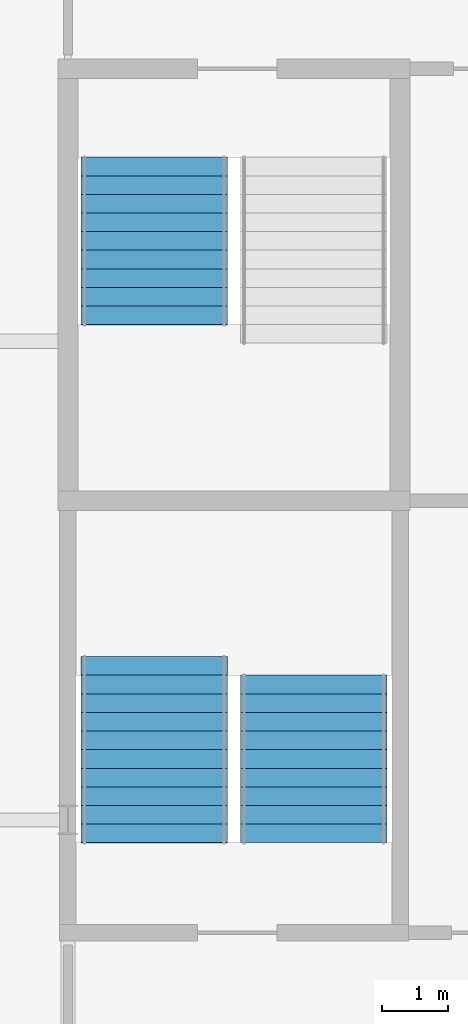
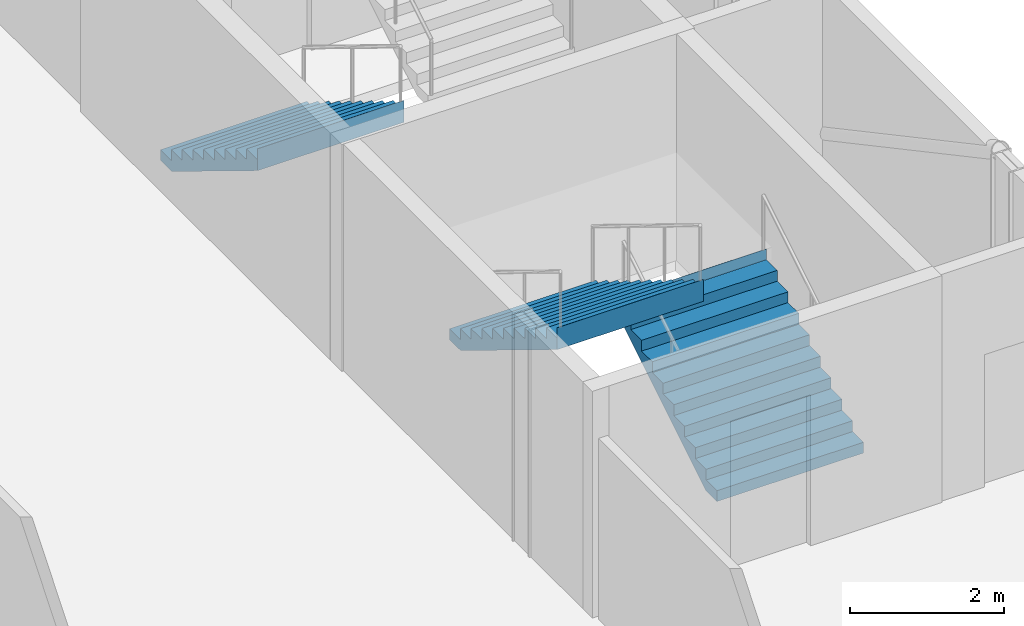
# One storey, part 90 of 124: 3 stair flights, 2 elements without a shape of their own.
"""IFC4 building model written with IfcOpenShell, lengths in metres."""

from ifc_helpers import new_model, si_unit, direction, frame, origin, place, context, subcontext, project, spatial, polyline, outline, extrude, material, type_object, element, aggregate, save


model = new_model("IFC4")

# Units and contexts
model_context = context("Model", 3, precision=1e-05, world=origin(), true_north=direction((0.0, 1.0)))
body_context = subcontext(model_context, "Body", "Model", "MODEL_VIEW")
ifc_project = project(units=[si_unit("LENGTHUNIT", "METRE"), si_unit("AREAUNIT", "SQUARE_METRE"), si_unit("VOLUMEUNIT", "CUBIC_METRE"), si_unit("PLANEANGLEUNIT", "RADIAN"), si_unit("MASSUNIT", "GRAM", prefix="KILO")], contexts=[model_context])

# Site, building, storey
site_placement = place(None, origin())
site = spatial("IfcSite", under=ifc_project, at=site_placement, CompositionType="ELEMENT")
building_placement = place(site_placement, origin())
building = spatial("IfcBuilding", under=site, at=building_placement, Name="Kupolbacken Congress Centre", CompositionType="ELEMENT")
storey_placement = place(building_placement, frame((0.0, 0.0, 10.800048828125)))
storey = spatial("IfcBuildingStorey", under=building, at=storey_placement, Name="L03", CompositionType="ELEMENT", Elevation=10.800048828125)

# Stair, stair flight
ifc_material_1 = material(Name="Concrete C30/37", Category="concrete")
stair_type = type_object("IfcStairType", Name="ST13 stair 2200", PredefinedType="TWO_STRAIGHT_RUN_STAIR", material=ifc_material_1)
stair_1_placement = place(storey_placement, origin())
stair_1 = element("IfcStair", 1, at=stair_1_placement, inside=storey, type_object=stair_type, Name="C/stair/LS4/L03", PredefinedType="NOTDEFINED")
ifc_material_2 = material(Name="Concrete C30/37", Category="concrete")
stair_flight_type_1 = type_object("IfcStairFlightType", Name="FL13 stair flight 2200 x 10 risers", PredefinedType="STRAIGHT", material=ifc_material_2)
stair_flight_1_placement = place(storey_placement, frame((82.89990234375, 93.2548828125, 0.0), z_axis=(0.0, 0.0, 1.0), x_axis=(0.0, 1.0, 0.0)))
stair_flight_1 = element("IfcStairFlight", 2, at=stair_flight_1_placement, type_object=stair_flight_type_1, Name="LS4 flight 1", NumberOfRisers=10, NumberOfTreads=9, PredefinedType="STRAIGHT", RiserHeight=0.171428571, TreadLength=0.28, context=body_context, shape_type="SweptSolid", body=[
    extrude(outline(polyline([(0.0, 0.0), (0.0, 0.0009765625), (0.0, 0.002197265625), (0.0, 0.003173828125), (0.0, 0.004150390625), (0.0, 0.00537109375), (0.0, 0.00634765625), (0.0, 0.007568359375), (0.0, 0.008544921875), (0.0, 0.009521484375), (0.0, 0.0107421875), (0.0, 0.01171875), (0.0, 0.0126953125), (0.0, 0.013916015625), (0.0, 0.014892578125), (0.0, 0.015869140625), (0.0, 0.01708984375), (0.0, 0.01806640625), (0.0, 0.019287109375), (0.0, 0.020263671875), (0.0, 0.021240234375), (0.0, 0.0224609375), (0.0, 0.0234375), (0.0, 0.0244140625), (0.0, 0.025634765625), (0.0, 0.026611328125), (0.0, 0.027587890625), (0.0, 0.02880859375), (0.0, 0.02978515625), (0.0, 0.03076171875), (0.0, 0.031982421875), (0.0, 0.032958984375), (0.0, 0.0341796875), (0.0, 0.03515625), (0.0, 0.0361328125), (0.0, 0.037353515625), (0.0, 0.038330078125), (0.0, 0.039306640625), (0.0, 0.04052734375), (0.0, 0.04150390625), (0.0, 0.04248046875), (0.0, 0.043701171875), (0.0, 0.044677734375), (0.0, 0.0458984375), (0.0, 0.046875), (0.0, 0.0478515625), (0.0, 0.049072265625), (0.0, 0.050048828125), (0.0, 0.051025390625), (0.0, 0.05224609375), (0.0, 0.05322265625), (0.0, 0.05419921875), (0.0, 0.055419921875), (0.0, 0.056396484375), (0.0, 0.0576171875), (0.0, 0.05859375), (0.0, 0.0595703125), (0.0, 0.060791015625), (0.0, 0.061767578125), (0.0, 0.062744140625), (0.0, 0.06396484375), (0.0, 0.06494140625), (0.0, 0.06591796875), (0.0, 0.067138671875), (0.0, 0.068115234375), (0.0, 0.069091796875), (0.0, 0.0703125), (0.0, 0.0712890625), (0.0, 0.072509765625), (0.0, 0.073486328125), (0.0, 0.074462890625), (0.0, 0.07568359375), (0.0, 0.07666015625), (0.0, 0.07763671875), (0.0, 0.078857421875), (0.0, 0.079833984375), (0.0, 0.080810546875), (0.0, 0.08203125), (0.0, 0.0830078125), (0.0, 0.084228515625), (0.0, 0.085205078125), (0.0, 0.086181640625), (0.0, 0.08740234375), (0.0, 0.08837890625), (0.0, 0.08935546875), (0.0, 0.090576171875), (0.0, 0.091552734375), (0.0, 0.092529296875), (0.0, 0.09375), (0.0, 0.0947265625), (0.0, 0.095947265625), (0.0, 0.096923828125), (0.0, 0.097900390625), (0.0, 0.09912109375), (0.0, 0.10009765625), (0.0, 0.10107421875), (0.0, 0.102294921875), (0.0, 0.103271484375), (0.0, 0.104248046875), (0.0, 0.10546875), (0.0, 0.1064453125), (0.0, 0.107421875), (0.0, 0.108642578125), (0.0, 0.109619140625), (0.0, 0.11083984375), (0.0, 0.11181640625), (0.0, 0.11279296875), (0.0, 0.114013671875), (0.0, 0.114990234375), (0.0, 0.115966796875), (0.0, 0.1171875), (0.0, 0.1181640625), (0.0, 0.119140625), (0.0, 0.120361328125), (0.0, 0.121337890625), (0.0, 0.12255859375), (0.0, 0.12353515625), (0.0, 0.12451171875), (0.0, 0.125732421875), (0.0, 0.126708984375), (0.0, 0.127685546875), (0.0, 0.12890625), (0.0, 0.1298828125), (0.0, 0.130859375), (0.0, 0.132080078125), (0.0, 0.133056640625), (0.0, 0.13427734375), (0.0, 0.13525390625), (0.0, 0.13623046875), (0.0, 0.137451171875), (0.0, 0.138427734375), (0.0, 0.139404296875), (0.0, 0.140625), (0.0, 0.1416015625), (0.0, 0.142578125), (0.0, 0.143798828125), (0.0, 0.144775390625), (0.0, 0.145751953125), (0.0, 0.14697265625), (0.0, 0.14794921875), (0.0, 0.149169921875), (0.0, 0.150146484375), (0.0, 0.151123046875), (0.0, 0.15234375), (0.0, 0.1533203125), (0.0, 0.154296875), (0.0, 0.155517578125), (0.0, 0.156494140625), (0.0, 0.157470703125), (0.0, 0.15869140625), (0.0, 0.15966796875), (0.0, 0.160888671875), (0.0, 0.161865234375), (0.0, 0.162841796875), (0.0, 0.1640625), (0.0, 0.1650390625), (0.0, 0.166015625), (0.0, 0.167236328125), (0.0, 0.168212890625), (0.0, 0.169189453125), (0.0, 0.17041015625), (0.0, 0.17138671875), (0.280029296875, 0.17138671875), (0.280029296875, 0.3427734375), (0.56005859375, 0.3427734375), (0.56005859375, 0.514404296875), (0.840087890625, 0.514404296875), (0.840087890625, 0.685791015625), (1.1201171875, 0.685791015625), (1.1201171875, 0.857177734375), (1.39990234375, 0.857177734375), (1.39990234375, 1.028564453125), (1.679931640625, 1.028564453125), (1.679931640625, 1.199951171875), (1.9599609375, 1.199951171875), (1.9599609375, 1.371337890625), (2.239990234375, 1.371337890625), (2.239990234375, 1.54296875), (2.52001953125, 1.54296875), (2.52001953125, 1.71435546875), (2.52197265625, 1.71435546875), (2.52197265625, 1.712158203125), (2.52197265625, 1.7099609375), (2.52197265625, 1.707763671875), (2.52197265625, 1.70556640625), (2.52197265625, 1.70361328125), (2.52197265625, 1.701416015625), (2.52197265625, 1.69921875), (2.52197265625, 1.697021484375), (2.52197265625, 1.69482421875), (2.52197265625, 1.692626953125), (2.52197265625, 1.690673828125), (2.52197265625, 1.6884765625), (2.52197265625, 1.686279296875), (2.52197265625, 1.68408203125), (2.52197265625, 1.681884765625), (2.52197265625, 1.6796875), (2.52197265625, 1.677734375), (2.52197265625, 1.675537109375), (2.52197265625, 1.67333984375), (2.52197265625, 1.671142578125), (2.52197265625, 1.6689453125), (2.52197265625, 1.666748046875), (2.52197265625, 1.664794921875), (2.52197265625, 1.66259765625), (2.52197265625, 1.660400390625), (2.52197265625, 1.658203125), (2.52197265625, 1.656005859375), (2.52197265625, 1.65380859375), (2.52197265625, 1.65185546875), (2.52197265625, 1.649658203125), (2.52197265625, 1.6474609375), (2.52197265625, 1.645263671875), (2.52197265625, 1.64306640625), (2.52197265625, 1.640869140625), (2.52197265625, 1.638916015625), (2.52197265625, 1.63671875), (2.52197265625, 1.634521484375), (2.52197265625, 1.63232421875), (2.52197265625, 1.630126953125), (2.52197265625, 1.6279296875), (2.52197265625, 1.6259765625), (2.52197265625, 1.623779296875), (2.52197265625, 1.62158203125), (2.52197265625, 1.619384765625), (2.52197265625, 1.6171875), (2.52197265625, 1.614990234375), (2.52197265625, 1.613037109375), (2.52197265625, 1.61083984375), (2.52197265625, 1.608642578125), (2.52197265625, 1.6064453125), (2.52197265625, 1.604248046875), (2.52197265625, 1.60205078125), (2.52197265625, 1.60009765625), (2.52197265625, 1.597900390625), (2.52197265625, 1.595703125), (2.52197265625, 1.593505859375), (2.52197265625, 1.59130859375), (2.52197265625, 1.589111328125), (2.52197265625, 1.587158203125), (2.52197265625, 1.5849609375), (2.52197265625, 1.582763671875), (2.52197265625, 1.58056640625), (2.52197265625, 1.578369140625), (2.52197265625, 1.576171875), (2.52197265625, 1.57421875), (2.52197265625, 1.572021484375), (2.52197265625, 1.56982421875), (2.52197265625, 1.567626953125), (2.52197265625, 1.5654296875), (2.52197265625, 1.563232421875), (2.52197265625, 1.561279296875), (2.52197265625, 1.55908203125), (2.52197265625, 1.556884765625), (2.52197265625, 1.5546875), (2.52197265625, 1.552490234375), (2.52197265625, 1.55029296875), (2.52197265625, 1.54833984375), (2.52197265625, 1.546142578125), (2.52197265625, 1.5439453125), (2.52197265625, 1.541748046875), (2.52197265625, 1.53955078125), (2.52197265625, 1.537353515625), (2.52197265625, 1.535400390625), (2.52197265625, 1.533203125), (2.52197265625, 1.531005859375), (2.52197265625, 1.52880859375), (2.52197265625, 1.526611328125), (2.52197265625, 1.5244140625), (2.52197265625, 1.5224609375), (2.52197265625, 1.520263671875), (2.52197265625, 1.51806640625), (2.52197265625, 1.515869140625), (2.52197265625, 1.513671875), (2.52197265625, 1.511474609375), (2.52197265625, 1.509521484375), (2.52197265625, 1.50732421875), (2.52197265625, 1.505126953125), (2.52197265625, 1.5029296875), (2.52197265625, 1.500732421875), (2.52197265625, 1.49853515625), (2.52197265625, 1.49658203125), (2.52197265625, 1.494384765625), (2.52197265625, 1.4921875), (2.52197265625, 1.489990234375), (2.52197265625, 1.48779296875), (2.52197265625, 1.485595703125), (2.52197265625, 1.483642578125), (2.52197265625, 1.4814453125), (2.52197265625, 1.479248046875), (2.52197265625, 1.47705078125), (2.52197265625, 1.474853515625), (2.52197265625, 1.47265625), (2.52197265625, 1.470703125), (2.52197265625, 1.468505859375), (2.52197265625, 1.46630859375), (2.52197265625, 1.464111328125), (2.52197265625, 1.4619140625), (2.52197265625, 1.459716796875), (2.52197265625, 1.457763671875), (2.52197265625, 1.45556640625), (2.52197265625, 1.453369140625), (2.52197265625, 1.451171875), (2.52197265625, 1.448974609375), (2.52197265625, 1.44677734375), (2.52197265625, 1.44482421875), (2.52197265625, 1.442626953125), (2.52197265625, 1.4404296875), (2.52197265625, 1.438232421875), (2.52197265625, 1.43603515625), (2.52197265625, 1.433837890625), (2.52197265625, 1.431884765625), (2.52197265625, 1.4296875), (2.52197265625, 1.427490234375), (2.52197265625, 1.42529296875), (2.52197265625, 1.423095703125), (2.52197265625, 1.4208984375), (2.52197265625, 1.4189453125), (2.52197265625, 1.416748046875), (2.52197265625, 1.41455078125), (2.52197265625, 1.412353515625), (2.52197265625, 1.41015625), (2.52197265625, 1.407958984375), (2.52197265625, 1.406005859375), (2.52197265625, 1.40380859375), (2.52197265625, 1.401611328125), (2.52197265625, 1.3994140625), (2.52197265625, 1.397216796875), (2.52197265625, 1.39501953125), (2.52197265625, 1.39306640625), (2.52197265625, 1.390869140625), (2.52197265625, 1.388671875), (2.52197265625, 1.386474609375), (2.52197265625, 1.38427734375), (2.52197265625, 1.382080078125), (2.52197265625, 1.380126953125), (2.52197265625, 1.3779296875), (2.52197265625, 1.375732421875), (2.52197265625, 1.37353515625), (2.52197265625, 1.371337890625), (2.52197265625, 1.369140625), (2.52197265625, 1.3671875), (0.2890625, 0.0), (0.0, 0.0)])), frame((0.0, 1.10009765625, 0.0), z_axis=(0.0, -1.0, 0.0), x_axis=(1.0, 0.0, 0.0)), (0.0, 0.0, 1.0), 2.199951171875),
])

stair_2_placement = place(storey_placement, origin())
stair_2 = element("IfcStair", 3, at=stair_2_placement, inside=storey, type_object=stair_type, Name="C/stair/LS2/L03", PredefinedType="NOTDEFINED")
stair_flight_2_placement = place(storey_placement, frame((80.5, 103.570068359375, 0.0), z_axis=(0.0, 0.0, 1.0), x_axis=(0.0, -1.0, 0.0)))
stair_flight_2 = element("IfcStairFlight", 4, at=stair_flight_2_placement, type_object=stair_flight_type_1, Name="LS2 flight 1", NumberOfRisers=10, NumberOfTreads=9, PredefinedType="STRAIGHT", RiserHeight=0.171428571, TreadLength=0.28, context=body_context, shape_type="SweptSolid", body=[
    extrude(outline(polyline([(0.0, 0.0), (0.0, 0.0009765625), (0.0, 0.002197265625), (0.0, 0.003173828125), (0.0, 0.004150390625), (0.0, 0.00537109375), (0.0, 0.00634765625), (0.0, 0.007568359375), (0.0, 0.008544921875), (0.0, 0.009521484375), (0.0, 0.0107421875), (0.0, 0.01171875), (0.0, 0.0126953125), (0.0, 0.013916015625), (0.0, 0.014892578125), (0.0, 0.015869140625), (0.0, 0.01708984375), (0.0, 0.01806640625), (0.0, 0.019287109375), (0.0, 0.020263671875), (0.0, 0.021240234375), (0.0, 0.0224609375), (0.0, 0.0234375), (0.0, 0.0244140625), (0.0, 0.025634765625), (0.0, 0.026611328125), (0.0, 0.027587890625), (0.0, 0.02880859375), (0.0, 0.02978515625), (0.0, 0.03076171875), (0.0, 0.031982421875), (0.0, 0.032958984375), (0.0, 0.0341796875), (0.0, 0.03515625), (0.0, 0.0361328125), (0.0, 0.037353515625), (0.0, 0.038330078125), (0.0, 0.039306640625), (0.0, 0.04052734375), (0.0, 0.04150390625), (0.0, 0.04248046875), (0.0, 0.043701171875), (0.0, 0.044677734375), (0.0, 0.0458984375), (0.0, 0.046875), (0.0, 0.0478515625), (0.0, 0.049072265625), (0.0, 0.050048828125), (0.0, 0.051025390625), (0.0, 0.05224609375), (0.0, 0.05322265625), (0.0, 0.05419921875), (0.0, 0.055419921875), (0.0, 0.056396484375), (0.0, 0.0576171875), (0.0, 0.05859375), (0.0, 0.0595703125), (0.0, 0.060791015625), (0.0, 0.061767578125), (0.0, 0.062744140625), (0.0, 0.06396484375), (0.0, 0.06494140625), (0.0, 0.06591796875), (0.0, 0.067138671875), (0.0, 0.068115234375), (0.0, 0.069091796875), (0.0, 0.0703125), (0.0, 0.0712890625), (0.0, 0.072509765625), (0.0, 0.073486328125), (0.0, 0.074462890625), (0.0, 0.07568359375), (0.0, 0.07666015625), (0.0, 0.07763671875), (0.0, 0.078857421875), (0.0, 0.079833984375), (0.0, 0.080810546875), (0.0, 0.08203125), (0.0, 0.0830078125), (0.0, 0.084228515625), (0.0, 0.085205078125), (0.0, 0.086181640625), (0.0, 0.08740234375), (0.0, 0.08837890625), (0.0, 0.08935546875), (0.0, 0.090576171875), (0.0, 0.091552734375), (0.0, 0.092529296875), (0.0, 0.09375), (0.0, 0.0947265625), (0.0, 0.095947265625), (0.0, 0.096923828125), (0.0, 0.097900390625), (0.0, 0.09912109375), (0.0, 0.10009765625), (0.0, 0.10107421875), (0.0, 0.102294921875), (0.0, 0.103271484375), (0.0, 0.104248046875), (0.0, 0.10546875), (0.0, 0.1064453125), (0.0, 0.107421875), (0.0, 0.108642578125), (0.0, 0.109619140625), (0.0, 0.11083984375), (0.0, 0.11181640625), (0.0, 0.11279296875), (0.0, 0.114013671875), (0.0, 0.114990234375), (0.0, 0.115966796875), (0.0, 0.1171875), (0.0, 0.1181640625), (0.0, 0.119140625), (0.0, 0.120361328125), (0.0, 0.121337890625), (0.0, 0.12255859375), (0.0, 0.12353515625), (0.0, 0.12451171875), (0.0, 0.125732421875), (0.0, 0.126708984375), (0.0, 0.127685546875), (0.0, 0.12890625), (0.0, 0.1298828125), (0.0, 0.130859375), (0.0, 0.132080078125), (0.0, 0.133056640625), (0.0, 0.13427734375), (0.0, 0.13525390625), (0.0, 0.13623046875), (0.0, 0.137451171875), (0.0, 0.138427734375), (0.0, 0.139404296875), (0.0, 0.140625), (0.0, 0.1416015625), (0.0, 0.142578125), (0.0, 0.143798828125), (0.0, 0.144775390625), (0.0, 0.145751953125), (0.0, 0.14697265625), (0.0, 0.14794921875), (0.0, 0.149169921875), (0.0, 0.150146484375), (0.0, 0.151123046875), (0.0, 0.15234375), (0.0, 0.1533203125), (0.0, 0.154296875), (0.0, 0.155517578125), (0.0, 0.156494140625), (0.0, 0.157470703125), (0.0, 0.15869140625), (0.0, 0.15966796875), (0.0, 0.160888671875), (0.0, 0.161865234375), (0.0, 0.162841796875), (0.0, 0.1640625), (0.0, 0.1650390625), (0.0, 0.166015625), (0.0, 0.167236328125), (0.0, 0.168212890625), (0.0, 0.169189453125), (0.0, 0.17041015625), (0.0, 0.17138671875), (0.280029296875, 0.17138671875), (0.280029296875, 0.3427734375), (0.56005859375, 0.3427734375), (0.56005859375, 0.514404296875), (0.840087890625, 0.514404296875), (0.840087890625, 0.685791015625), (1.1201171875, 0.685791015625), (1.1201171875, 0.857177734375), (1.39990234375, 0.857177734375), (1.39990234375, 1.028564453125), (1.679931640625, 1.028564453125), (1.679931640625, 1.199951171875), (1.9599609375, 1.199951171875), (1.9599609375, 1.371337890625), (2.239990234375, 1.371337890625), (2.239990234375, 1.54296875), (2.52001953125, 1.54296875), (2.52001953125, 1.71435546875), (2.52197265625, 1.71435546875), (2.52197265625, 1.712158203125), (2.52197265625, 1.7099609375), (2.52197265625, 1.707763671875), (2.52197265625, 1.70556640625), (2.52197265625, 1.70361328125), (2.52197265625, 1.701416015625), (2.52197265625, 1.69921875), (2.52197265625, 1.697021484375), (2.52197265625, 1.69482421875), (2.52197265625, 1.692626953125), (2.52197265625, 1.690673828125), (2.52197265625, 1.6884765625), (2.52197265625, 1.686279296875), (2.52197265625, 1.68408203125), (2.52197265625, 1.681884765625), (2.52197265625, 1.6796875), (2.52197265625, 1.677734375), (2.52197265625, 1.675537109375), (2.52197265625, 1.67333984375), (2.52197265625, 1.671142578125), (2.52197265625, 1.6689453125), (2.52197265625, 1.666748046875), (2.52197265625, 1.664794921875), (2.52197265625, 1.66259765625), (2.52197265625, 1.660400390625), (2.52197265625, 1.658203125), (2.52197265625, 1.656005859375), (2.52197265625, 1.65380859375), (2.52197265625, 1.65185546875), (2.52197265625, 1.649658203125), (2.52197265625, 1.6474609375), (2.52197265625, 1.645263671875), (2.52197265625, 1.64306640625), (2.52197265625, 1.640869140625), (2.52197265625, 1.638916015625), (2.52197265625, 1.63671875), (2.52197265625, 1.634521484375), (2.52197265625, 1.63232421875), (2.52197265625, 1.630126953125), (2.52197265625, 1.6279296875), (2.52197265625, 1.6259765625), (2.52197265625, 1.623779296875), (2.52197265625, 1.62158203125), (2.52197265625, 1.619384765625), (2.52197265625, 1.6171875), (2.52197265625, 1.614990234375), (2.52197265625, 1.613037109375), (2.52197265625, 1.61083984375), (2.52197265625, 1.608642578125), (2.52197265625, 1.6064453125), (2.52197265625, 1.604248046875), (2.52197265625, 1.60205078125), (2.52197265625, 1.60009765625), (2.52197265625, 1.597900390625), (2.52197265625, 1.595703125), (2.52197265625, 1.593505859375), (2.52197265625, 1.59130859375), (2.52197265625, 1.589111328125), (2.52197265625, 1.587158203125), (2.52197265625, 1.5849609375), (2.52197265625, 1.582763671875), (2.52197265625, 1.58056640625), (2.52197265625, 1.578369140625), (2.52197265625, 1.576171875), (2.52197265625, 1.57421875), (2.52197265625, 1.572021484375), (2.52197265625, 1.56982421875), (2.52197265625, 1.567626953125), (2.52197265625, 1.5654296875), (2.52197265625, 1.563232421875), (2.52197265625, 1.561279296875), (2.52197265625, 1.55908203125), (2.52197265625, 1.556884765625), (2.52197265625, 1.5546875), (2.52197265625, 1.552490234375), (2.52197265625, 1.55029296875), (2.52197265625, 1.54833984375), (2.52197265625, 1.546142578125), (2.52197265625, 1.5439453125), (2.52197265625, 1.541748046875), (2.52197265625, 1.53955078125), (2.52197265625, 1.537353515625), (2.52197265625, 1.535400390625), (2.52197265625, 1.533203125), (2.52197265625, 1.531005859375), (2.52197265625, 1.52880859375), (2.52197265625, 1.526611328125), (2.52197265625, 1.5244140625), (2.52197265625, 1.5224609375), (2.52197265625, 1.520263671875), (2.52197265625, 1.51806640625), (2.52197265625, 1.515869140625), (2.52197265625, 1.513671875), (2.52197265625, 1.511474609375), (2.52197265625, 1.509521484375), (2.52197265625, 1.50732421875), (2.52197265625, 1.505126953125), (2.52197265625, 1.5029296875), (2.52197265625, 1.500732421875), (2.52197265625, 1.49853515625), (2.52197265625, 1.49658203125), (2.52197265625, 1.494384765625), (2.52197265625, 1.4921875), (2.52197265625, 1.489990234375), (2.52197265625, 1.48779296875), (2.52197265625, 1.485595703125), (2.52197265625, 1.483642578125), (2.52197265625, 1.4814453125), (2.52197265625, 1.479248046875), (2.52197265625, 1.47705078125), (2.52197265625, 1.474853515625), (2.52197265625, 1.47265625), (2.52197265625, 1.470703125), (2.52197265625, 1.468505859375), (2.52197265625, 1.46630859375), (2.52197265625, 1.464111328125), (2.52197265625, 1.4619140625), (2.52197265625, 1.459716796875), (2.52197265625, 1.457763671875), (2.52197265625, 1.45556640625), (2.52197265625, 1.453369140625), (2.52197265625, 1.451171875), (2.52197265625, 1.448974609375), (2.52197265625, 1.44677734375), (2.52197265625, 1.44482421875), (2.52197265625, 1.442626953125), (2.52197265625, 1.4404296875), (2.52197265625, 1.438232421875), (2.52197265625, 1.43603515625), (2.52197265625, 1.433837890625), (2.52197265625, 1.431884765625), (2.52197265625, 1.4296875), (2.52197265625, 1.427490234375), (2.52197265625, 1.42529296875), (2.52197265625, 1.423095703125), (2.52197265625, 1.4208984375), (2.52197265625, 1.4189453125), (2.52197265625, 1.416748046875), (2.52197265625, 1.41455078125), (2.52197265625, 1.412353515625), (2.52197265625, 1.41015625), (2.52197265625, 1.407958984375), (2.52197265625, 1.406005859375), (2.52197265625, 1.40380859375), (2.52197265625, 1.401611328125), (2.52197265625, 1.3994140625), (2.52197265625, 1.397216796875), (2.52197265625, 1.39501953125), (2.52197265625, 1.39306640625), (2.52197265625, 1.390869140625), (2.52197265625, 1.388671875), (2.52197265625, 1.386474609375), (2.52197265625, 1.38427734375), (2.52197265625, 1.382080078125), (2.52197265625, 1.380126953125), (2.52197265625, 1.3779296875), (2.52197265625, 1.375732421875), (2.52197265625, 1.37353515625), (2.52197265625, 1.371337890625), (2.52197265625, 1.369140625), (2.52197265625, 1.3671875), (0.2890625, 0.0), (0.0, 0.0)])), frame((0.0, 1.10009765625, 0.0), z_axis=(0.0, -1.0, 0.0), x_axis=(1.0, 0.0, 0.0)), (0.0, 0.0, 1.0), 2.199951171875),
])
aggregate(stair_2, [stair_flight_2])

# Stair flight
ifc_material_3 = material(Name="Concrete C30/37", Category="concrete")
stair_flight_type_2 = type_object("IfcStairFlightType", Name="FL14 stair flight 2200 x 11 risers", PredefinedType="STRAIGHT", material=ifc_material_3)
stair_flight_3_placement = place(storey_placement, frame((80.5, 96.054931640625, 1.71435546875), z_axis=(0.0, 0.0, 1.0), x_axis=(0.0, -1.0, 0.0)))
stair_flight_3 = element("IfcStairFlight", 5, at=stair_flight_3_placement, type_object=stair_flight_type_2, Name="LS4 flight 2", NumberOfRisers=11, NumberOfTreads=10, PredefinedType="STRAIGHT", RiserHeight=0.171428571, TreadLength=0.28, context=body_context, shape_type="SweptSolid", body=[
    extrude(outline(polyline([(0.0, 0.0), (0.0, 0.0009765625), (0.0, 0.002197265625), (0.0, 0.003173828125), (0.0, 0.004150390625), (0.0, 0.00537109375), (0.0, 0.00634765625), (0.0, 0.007568359375), (0.0, 0.008544921875), (0.0, 0.009521484375), (0.0, 0.0107421875), (0.0, 0.01171875), (0.0, 0.0126953125), (0.0, 0.013916015625), (0.0, 0.014892578125), (0.0, 0.015869140625), (0.0, 0.01708984375), (0.0, 0.01806640625), (0.0, 0.019287109375), (0.0, 0.020263671875), (0.0, 0.021240234375), (0.0, 0.0224609375), (0.0, 0.0234375), (0.0, 0.0244140625), (0.0, 0.025634765625), (0.0, 0.026611328125), (0.0, 0.027587890625), (0.0, 0.02880859375), (0.0, 0.02978515625), (0.0, 0.03076171875), (0.0, 0.031982421875), (0.0, 0.032958984375), (0.0, 0.0341796875), (0.0, 0.03515625), (0.0, 0.0361328125), (0.0, 0.037353515625), (0.0, 0.038330078125), (0.0, 0.039306640625), (0.0, 0.04052734375), (0.0, 0.04150390625), (0.0, 0.04248046875), (0.0, 0.043701171875), (0.0, 0.044677734375), (0.0, 0.0458984375), (0.0, 0.046875), (0.0, 0.0478515625), (0.0, 0.049072265625), (0.0, 0.050048828125), (0.0, 0.051025390625), (0.0, 0.05224609375), (0.0, 0.05322265625), (0.0, 0.05419921875), (0.0, 0.055419921875), (0.0, 0.056396484375), (0.0, 0.0576171875), (0.0, 0.05859375), (0.0, 0.0595703125), (0.0, 0.060791015625), (0.0, 0.061767578125), (0.0, 0.062744140625), (0.0, 0.06396484375), (0.0, 0.06494140625), (0.0, 0.06591796875), (0.0, 0.067138671875), (0.0, 0.068115234375), (0.0, 0.069091796875), (0.0, 0.0703125), (0.0, 0.0712890625), (0.0, 0.072509765625), (0.0, 0.073486328125), (0.0, 0.074462890625), (0.0, 0.07568359375), (0.0, 0.07666015625), (0.0, 0.07763671875), (0.0, 0.078857421875), (0.0, 0.079833984375), (0.0, 0.080810546875), (0.0, 0.08203125), (0.0, 0.0830078125), (0.0, 0.084228515625), (0.0, 0.085205078125), (0.0, 0.086181640625), (0.0, 0.08740234375), (0.0, 0.08837890625), (0.0, 0.08935546875), (0.0, 0.090576171875), (0.0, 0.091552734375), (0.0, 0.092529296875), (0.0, 0.09375), (0.0, 0.0947265625), (0.0, 0.095947265625), (0.0, 0.096923828125), (0.0, 0.097900390625), (0.0, 0.09912109375), (0.0, 0.10009765625), (0.0, 0.10107421875), (0.0, 0.102294921875), (0.0, 0.103271484375), (0.0, 0.104248046875), (0.0, 0.10546875), (0.0, 0.1064453125), (0.0, 0.107421875), (0.0, 0.108642578125), (0.0, 0.109619140625), (0.0, 0.11083984375), (0.0, 0.11181640625), (0.0, 0.11279296875), (0.0, 0.114013671875), (0.0, 0.114990234375), (0.0, 0.115966796875), (0.0, 0.1171875), (0.0, 0.1181640625), (0.0, 0.119140625), (0.0, 0.120361328125), (0.0, 0.121337890625), (0.0, 0.12255859375), (0.0, 0.12353515625), (0.0, 0.12451171875), (0.0, 0.125732421875), (0.0, 0.126708984375), (0.0, 0.127685546875), (0.0, 0.12890625), (0.0, 0.1298828125), (0.0, 0.130859375), (0.0, 0.132080078125), (0.0, 0.133056640625), (0.0, 0.13427734375), (0.0, 0.13525390625), (0.0, 0.13623046875), (0.0, 0.137451171875), (0.0, 0.138427734375), (0.0, 0.139404296875), (0.0, 0.140625), (0.0, 0.1416015625), (0.0, 0.142578125), (0.0, 0.143798828125), (0.0, 0.144775390625), (0.0, 0.145751953125), (0.0, 0.14697265625), (0.0, 0.14794921875), (0.0, 0.149169921875), (0.0, 0.150146484375), (0.0, 0.151123046875), (0.0, 0.15234375), (0.0, 0.1533203125), (0.0, 0.154296875), (0.0, 0.155517578125), (0.0, 0.156494140625), (0.0, 0.157470703125), (0.0, 0.15869140625), (0.0, 0.15966796875), (0.0, 0.160888671875), (0.0, 0.161865234375), (0.0, 0.162841796875), (0.0, 0.1640625), (0.0, 0.1650390625), (0.0, 0.166015625), (0.0, 0.167236328125), (0.0, 0.168212890625), (0.0, 0.169189453125), (0.0, 0.17041015625), (0.0, 0.17138671875), (0.280029296875, 0.17138671875), (0.280029296875, 0.3427734375), (0.56005859375, 0.3427734375), (0.56005859375, 0.514404296875), (0.840087890625, 0.514404296875), (0.840087890625, 0.685791015625), (1.1201171875, 0.685791015625), (1.1201171875, 0.857177734375), (1.39990234375, 0.857177734375), (1.39990234375, 1.028564453125), (1.679931640625, 1.028564453125), (1.679931640625, 1.199951171875), (1.9599609375, 1.199951171875), (1.9599609375, 1.371337890625), (2.239990234375, 1.371337890625), (2.239990234375, 1.54296875), (2.52001953125, 1.54296875), (2.52001953125, 1.71435546875), (2.800048828125, 1.71435546875), (2.800048828125, 1.8857421875), (2.802001953125, 1.8857421875), (2.802001953125, 1.883544921875), (2.802001953125, 1.88134765625), (2.802001953125, 1.879150390625), (2.802001953125, 1.877197265625), (2.802001953125, 1.875), (2.802001953125, 1.872802734375), (2.802001953125, 1.87060546875), (2.802001953125, 1.868408203125), (2.802001953125, 1.8662109375), (2.802001953125, 1.8642578125), (2.802001953125, 1.862060546875), (2.802001953125, 1.85986328125), (2.802001953125, 1.857666015625), (2.802001953125, 1.85546875), (2.802001953125, 1.853271484375), (2.802001953125, 1.851318359375), (2.802001953125, 1.84912109375), (2.802001953125, 1.846923828125), (2.802001953125, 1.8447265625), (2.802001953125, 1.842529296875), (2.802001953125, 1.84033203125), (2.802001953125, 1.83837890625), (2.802001953125, 1.836181640625), (2.802001953125, 1.833984375), (2.802001953125, 1.831787109375), (2.802001953125, 1.82958984375), (2.802001953125, 1.827392578125), (2.802001953125, 1.825439453125), (2.802001953125, 1.8232421875), (2.802001953125, 1.821044921875), (2.802001953125, 1.81884765625), (2.802001953125, 1.816650390625), (2.802001953125, 1.814453125), (2.802001953125, 1.8125), (2.802001953125, 1.810302734375), (2.802001953125, 1.80810546875), (2.802001953125, 1.805908203125), (2.802001953125, 1.8037109375), (2.802001953125, 1.801513671875), (2.802001953125, 1.799560546875), (2.802001953125, 1.79736328125), (2.802001953125, 1.795166015625), (2.802001953125, 1.79296875), (2.802001953125, 1.790771484375), (2.802001953125, 1.78857421875), (2.802001953125, 1.78662109375), (2.802001953125, 1.784423828125), (2.802001953125, 1.7822265625), (2.802001953125, 1.780029296875), (2.802001953125, 1.77783203125), (2.802001953125, 1.775634765625), (2.802001953125, 1.773681640625), (2.802001953125, 1.771484375), (2.802001953125, 1.769287109375), (2.802001953125, 1.76708984375), (2.802001953125, 1.764892578125), (2.802001953125, 1.7626953125), (2.802001953125, 1.7607421875), (2.802001953125, 1.758544921875), (2.802001953125, 1.75634765625), (2.802001953125, 1.754150390625), (2.802001953125, 1.751953125), (2.802001953125, 1.749755859375), (2.802001953125, 1.747802734375), (2.802001953125, 1.74560546875), (2.802001953125, 1.743408203125), (2.802001953125, 1.7412109375), (2.802001953125, 1.739013671875), (2.802001953125, 1.73681640625), (2.802001953125, 1.73486328125), (2.802001953125, 1.732666015625), (2.802001953125, 1.73046875), (2.802001953125, 1.728271484375), (2.802001953125, 1.72607421875), (2.802001953125, 1.723876953125), (2.802001953125, 1.721923828125), (2.802001953125, 1.7197265625), (2.802001953125, 1.717529296875), (2.802001953125, 1.71533203125), (2.802001953125, 1.713134765625), (2.802001953125, 1.7109375), (2.802001953125, 1.708984375), (2.802001953125, 1.706787109375), (2.802001953125, 1.70458984375), (2.802001953125, 1.702392578125), (2.802001953125, 1.7001953125), (2.802001953125, 1.697998046875), (2.802001953125, 1.696044921875), (2.802001953125, 1.69384765625), (2.802001953125, 1.691650390625), (2.802001953125, 1.689453125), (2.802001953125, 1.687255859375), (2.802001953125, 1.68505859375), (2.802001953125, 1.68310546875), (2.802001953125, 1.680908203125), (2.802001953125, 1.6787109375), (2.802001953125, 1.676513671875), (2.802001953125, 1.67431640625), (2.802001953125, 1.672119140625), (2.802001953125, 1.670166015625), (2.802001953125, 1.66796875), (2.802001953125, 1.665771484375), (2.802001953125, 1.66357421875), (2.802001953125, 1.661376953125), (2.802001953125, 1.6591796875), (2.802001953125, 1.6572265625), (2.802001953125, 1.655029296875), (2.802001953125, 1.65283203125), (2.802001953125, 1.650634765625), (2.802001953125, 1.6484375), (2.802001953125, 1.646240234375), (2.802001953125, 1.644287109375), (2.802001953125, 1.64208984375), (2.802001953125, 1.639892578125), (2.802001953125, 1.6376953125), (2.802001953125, 1.635498046875), (2.802001953125, 1.63330078125), (2.802001953125, 1.63134765625), (2.802001953125, 1.629150390625), (2.802001953125, 1.626953125), (2.802001953125, 1.624755859375), (2.802001953125, 1.62255859375), (2.802001953125, 1.620361328125), (2.802001953125, 1.618408203125), (2.802001953125, 1.6162109375), (2.802001953125, 1.614013671875), (2.802001953125, 1.61181640625), (2.802001953125, 1.609619140625), (2.802001953125, 1.607421875), (2.802001953125, 1.60546875), (2.802001953125, 1.603271484375), (2.802001953125, 1.60107421875), (2.802001953125, 1.598876953125), (2.802001953125, 1.5966796875), (2.802001953125, 1.594482421875), (2.802001953125, 1.592529296875), (2.802001953125, 1.59033203125), (2.802001953125, 1.588134765625), (2.802001953125, 1.5859375), (2.802001953125, 1.583740234375), (2.802001953125, 1.58154296875), (2.802001953125, 1.57958984375), (2.802001953125, 1.577392578125), (2.802001953125, 1.5751953125), (2.802001953125, 1.572998046875), (2.802001953125, 1.57080078125), (2.802001953125, 1.568603515625), (2.802001953125, 1.566650390625), (2.802001953125, 1.564453125), (2.802001953125, 1.562255859375), (2.802001953125, 1.56005859375), (2.802001953125, 1.557861328125), (2.802001953125, 1.5556640625), (2.802001953125, 1.5537109375), (2.802001953125, 1.551513671875), (2.802001953125, 1.54931640625), (2.802001953125, 1.547119140625), (2.802001953125, 1.544921875), (2.802001953125, 1.542724609375), (2.802001953125, 1.540771484375), (2.802001953125, 1.53857421875), (0.2890625, 0.0), (0.0, 0.0)])), frame((0.0, 1.10009765625, 0.0), z_axis=(0.0, -1.0, 0.0), x_axis=(1.0, 0.0, 0.0)), (0.0, 0.0, 1.0), 2.199951171875),
])

aggregate(stair_1, [stair_flight_1, stair_flight_3])

save(model, "model.ifc")
